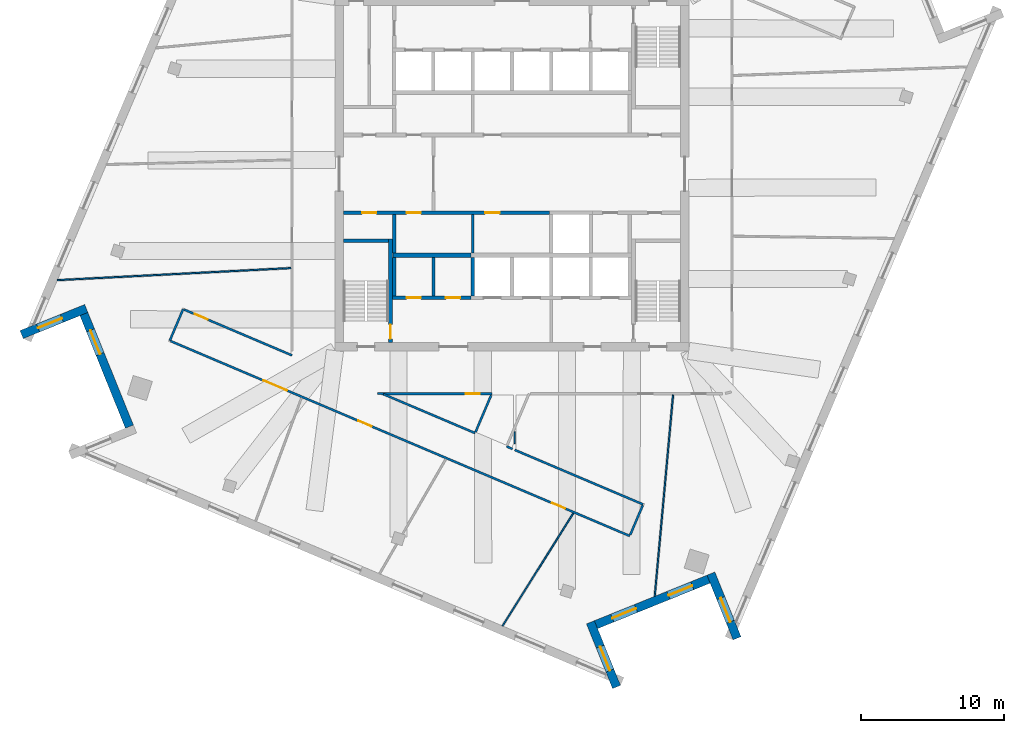
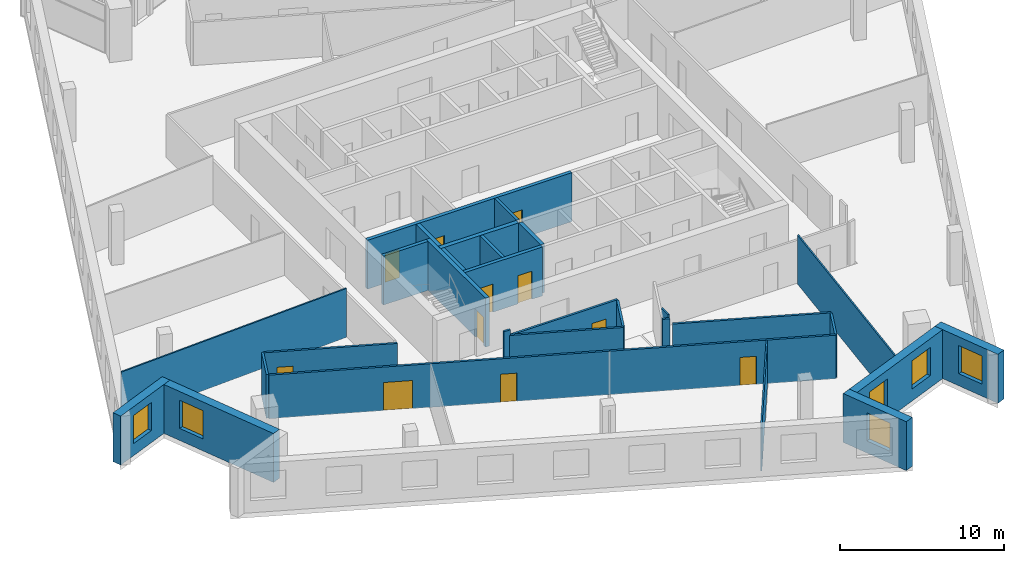
# One storey, part 6 of 13: 29 walls, 11 doors, 6 windows, 17 openings.
"""IFC4 building model written with IfcOpenShell, lengths in metres."""

from ifc_helpers import new_model, si_unit, direction, frame, frame_2d, origin, place, context, subcontext, project, spatial, rectangle, extrude, material, layer, layer_set, type_object, element, fill, save


model = new_model("IFC4")

# Units and contexts
model_context = context("Model", 3, precision=1e-05, world=origin(), true_north=direction((0.0, 1.0)))
body_context = subcontext(model_context, "Body", "Model", "MODEL_VIEW")
ifc_project = project(units=[si_unit("LENGTHUNIT", "METRE"), si_unit("AREAUNIT", "SQUARE_METRE"), si_unit("VOLUMEUNIT", "CUBIC_METRE"), si_unit("PLANEANGLEUNIT", "RADIAN"), si_unit("MASSUNIT", "GRAM", prefix="KILO")], contexts=[model_context])

# Site, building, storey
site_placement = place(None, origin())
site = spatial("IfcSite", under=ifc_project, at=site_placement, CompositionType="ELEMENT")
building_placement = place(site_placement, origin())
building = spatial("IfcBuilding", under=site, at=building_placement, Name="Dilmun Exchange Tower", CompositionType="ELEMENT")
storey_placement = place(building_placement, frame((0.0, 0.0, 296.5)))
storey = spatial("IfcBuildingStorey", under=building, at=storey_placement, Name="L70", CompositionType="ELEMENT", Elevation=296.5)

# Walls
ifc_material_1 = material(Name="Concrete C40/50", Category="concrete")
ifc_layer_1 = layer(ifc_material_1, 0.199951171875)
ifc_layer_set_1 = layer_set([ifc_layer_1], Name="Concrete C40/50")
wall_type_1 = type_object("IfcWallType", Name="Core partition wall 200", PredefinedType="PARTITIONING", material=ifc_layer_set_1)
for number, where, z_axis, x_axis, name in (
    (1, (-5.5, -8.544921875, 0.0), (0.0, 0.0, 1.0), (0.0, 1.0, 0.0), "L70 core partition wall 04"),
    (2, (-2.75, -5.544921875, 0.0), (0.0, 0.0, 1.0), (0.0, 1.0, 0.0), "L70 core partition wall 07"),
):
    element("IfcWall", number, at=place(storey_placement, frame(where, z_axis=z_axis, x_axis=x_axis)), inside=storey, type_object=wall_type_1, Name=name, PredefinedType="PARTITIONING", context=body_context, shape_type="SweptSolid", body=[
        extrude(rectangle(XDim=2.68994140625, YDim=0.199951171875, at=frame_2d((1.344970703125, 0.0))), origin(), (0.0, 0.0, 1.0), 3.64990234375),
    ])

# Wall, openings, doors
ifc_layer_2 = layer(ifc_material_1, 0.25)
ifc_layer_set_2 = layer_set([ifc_layer_2], Name="Concrete C40/50")
wall_type_2 = type_object("IfcWallType", Name="Core partition wall 250", PredefinedType="PARTITIONING", material=ifc_layer_set_2)
wall_1_placement = place(storey_placement, frame((-8.3701171875, -8.675048828125, 0.0), z_axis=(0.0, 0.0, 1.0), x_axis=(1.0, 0.0, 0.0)))
wall_1 = element("IfcWall", 3, at=wall_1_placement, inside=storey, type_object=wall_type_2, Name="L70 core partition wall 02", PredefinedType="PARTITIONING", context=body_context, shape_type="SweptSolid", body=[
    extrude(rectangle(XDim=5.490234375, YDim=0.25, at=frame_2d((2.7451171875, 0.0))), origin(), (0.0, 0.0, 1.0), 3.64990234375),
])
opening_1_placement = place(wall_1_placement, frame((0.9951171875, 0.0, 0.0)))
opening_1 = element("IfcOpeningElement", 4, at=opening_1_placement, cuts=wall_1, Name="Opening CD4", PredefinedType="OPENING", context=body_context, shape_type="SweptSolid", body=[
    extrude(rectangle(XDim=1.0, YDim=2.10009765625, at=frame_2d((0.5, 1.050048828125))), frame((0.0, 0.135009765625, 0.0), z_axis=(0.0, -1.0, 0.0), x_axis=(1.0, 0.0, 0.0)), (0.0, 0.0, 1.0), 0.27001953125),
])
opening_2_placement = place(wall_1_placement, frame((3.7451171875, 0.0, 0.0)))
opening_2 = element("IfcOpeningElement", 5, at=opening_2_placement, cuts=wall_1, Name="Opening CD4", PredefinedType="OPENING", context=body_context, shape_type="SweptSolid", body=[
    extrude(rectangle(XDim=1.0, YDim=2.10009765625, at=frame_2d((0.5, 1.050048828125))), frame((0.0, 0.135009765625, 0.0), z_axis=(0.0, -1.0, 0.0), x_axis=(1.0, 0.0, 0.0)), (0.0, 0.0, 1.0), 0.27001953125),
])
ifc_material_2 = material(Name="Fire-rated steel door set", Category="steel")
door_type_1 = type_object("IfcDoorType", Name="Core room door 1000x2100", OperationType="SINGLE_SWING_LEFT", PredefinedType="DOOR", material=ifc_material_2)
door_1_placement = place(opening_1_placement, origin())
door_1 = element("IfcDoor", 6, at=door_1_placement, inside=storey, type_object=door_type_1, Name="L70 door Male WC", OperationType="SINGLE_SWING_LEFT", OverallHeight=2.10009765625, OverallWidth=1.0, PredefinedType="DOOR", context=body_context, shape_type="SweptSolid", body=[
    extrude(rectangle(XDim=1.0, YDim=2.10009765625, at=frame_2d((0.5, 1.050048828125))), frame((0.0, 0.02490234375, 0.0), z_axis=(0.0, -1.0, 0.0), x_axis=(1.0, 0.0, 0.0)), (0.0, 0.0, 1.0), 0.050048828125),
])
fill(opening_1, door_1)
door_2_placement = place(opening_2_placement, origin())
door_2 = element("IfcDoor", 7, at=door_2_placement, inside=storey, type_object=door_type_1, Name="L70 door Female WC", OperationType="SINGLE_SWING_LEFT", OverallHeight=2.10009765625, OverallWidth=1.0, PredefinedType="DOOR", context=body_context, shape_type="SweptSolid", body=[
    extrude(rectangle(XDim=1.0, YDim=2.10009765625, at=frame_2d((0.5, 1.050048828125))), frame((0.0, 0.02490234375, 0.0), z_axis=(0.0, -1.0, 0.0), x_axis=(1.0, 0.0, 0.0)), (0.0, 0.0, 1.0), 0.050048828125),
])
fill(opening_2, door_2)

# Walls
for number, where, z_axis, x_axis, name in (
    (8, (-8.25, -8.544921875, 0.0), (0.0, 0.0, 1.0), (0.0, 1.0, 0.0), "L70 core partition wall 03"),
    (9, (-8.25, -5.544921875, 0.0), (0.0, 0.0, 1.0), (0.0, 1.0, 0.0), "L70 core partition wall 06"),
):
    element("IfcWall", number, at=place(storey_placement, frame(where, z_axis=z_axis, x_axis=x_axis)), inside=storey, type_object=wall_type_2, Name=name, PredefinedType="PARTITIONING", context=body_context, shape_type="SweptSolid", body=[
        extrude(rectangle(XDim=2.68994140625, YDim=0.25, at=frame_2d((1.344970703125, 0.0))), origin(), (0.0, 0.0, 1.0), 3.64990234375),
    ])

# Wall, openings, doors
wall_2_placement = place(storey_placement, frame((-11.794921875, -2.72509765625, 0.0), z_axis=(0.0, 0.0, 1.0), x_axis=(1.0, 0.0, 0.0)))
wall_2 = element("IfcWall", 10, at=wall_2_placement, inside=storey, type_object=wall_type_2, Name="L70 core partition wall 09", PredefinedType="PARTITIONING", context=body_context, shape_type="SweptSolid", body=[
    extrude(rectangle(XDim=14.4150390625, YDim=0.25, at=frame_2d((7.20751953125, 0.0))), origin(), (0.0, 0.0, 1.0), 3.64990234375),
])
opening_3_placement = place(wall_2_placement, frame((1.294921875, 0.0, 0.0)))
opening_3 = element("IfcOpeningElement", 11, at=opening_3_placement, cuts=wall_2, Name="Opening CD4", PredefinedType="OPENING", context=body_context, shape_type="SweptSolid", body=[
    extrude(rectangle(XDim=1.0, YDim=2.10009765625, at=frame_2d((0.5, 1.050048828125))), frame((0.0, 0.135009765625, 0.0), z_axis=(0.0, -1.0, 0.0), x_axis=(1.0, 0.0, 0.0)), (0.0, 0.0, 1.0), 0.27001953125),
])
opening_4_placement = place(wall_2_placement, frame((4.419921875, 0.0, 0.0)))
opening_4 = element("IfcOpeningElement", 12, at=opening_4_placement, cuts=wall_2, Name="Opening CD4", PredefinedType="OPENING", context=body_context, shape_type="SweptSolid", body=[
    extrude(rectangle(XDim=1.0, YDim=2.10009765625, at=frame_2d((0.5, 1.050048828125))), frame((0.0, 0.135009765625, 0.0), z_axis=(0.0, -1.0, 0.0), x_axis=(1.0, 0.0, 0.0)), (0.0, 0.0, 1.0), 0.27001953125),
])
opening_5_placement = place(wall_2_placement, frame((9.919921875, 0.0, 0.0)))
opening_5 = element("IfcOpeningElement", 13, at=opening_5_placement, cuts=wall_2, Name="Opening CD4", PredefinedType="OPENING", context=body_context, shape_type="SweptSolid", body=[
    extrude(rectangle(XDim=1.0, YDim=2.10009765625, at=frame_2d((0.5, 1.050048828125))), frame((0.0, 0.135009765625, 0.0), z_axis=(0.0, -1.0, 0.0), x_axis=(1.0, 0.0, 0.0)), (0.0, 0.0, 1.0), 0.27001953125),
])
door_3_placement = place(opening_3_placement, origin())
door_3 = element("IfcDoor", 14, at=door_3_placement, inside=storey, type_object=door_type_1, Name="L70 door Accessible WC", OperationType="SINGLE_SWING_LEFT", OverallHeight=2.10009765625, OverallWidth=1.0, PredefinedType="DOOR", context=body_context, shape_type="SweptSolid", body=[
    extrude(rectangle(XDim=1.0, YDim=2.10009765625, at=frame_2d((0.5, 1.050048828125))), frame((0.0, 0.02490234375, 0.0), z_axis=(0.0, -1.0, 0.0), x_axis=(1.0, 0.0, 0.0)), (0.0, 0.0, 1.0), 0.050048828125),
])
fill(opening_3, door_3)
door_4_placement = place(opening_4_placement, origin())
door_4 = element("IfcDoor", 15, at=door_4_placement, inside=storey, type_object=door_type_1, Name="L70 door Switch room", OperationType="SINGLE_SWING_LEFT", OverallHeight=2.10009765625, OverallWidth=1.0, PredefinedType="DOOR", context=body_context, shape_type="SweptSolid", body=[
    extrude(rectangle(XDim=1.0, YDim=2.10009765625, at=frame_2d((0.5, 1.050048828125))), frame((0.0, 0.02490234375, 0.0), z_axis=(0.0, -1.0, 0.0), x_axis=(1.0, 0.0, 0.0)), (0.0, 0.0, 1.0), 0.050048828125),
])
fill(opening_4, door_4)
door_5_placement = place(opening_5_placement, origin())
door_5 = element("IfcDoor", 16, at=door_5_placement, inside=storey, type_object=door_type_1, Name="L70 door Print and mail room", OperationType="SINGLE_SWING_LEFT", OverallHeight=2.10009765625, OverallWidth=1.0, PredefinedType="DOOR", context=body_context, shape_type="SweptSolid", body=[
    extrude(rectangle(XDim=1.0, YDim=2.10009765625, at=frame_2d((0.5, 1.050048828125))), frame((0.0, 0.02490234375, 0.0), z_axis=(0.0, -1.0, 0.0), x_axis=(1.0, 0.0, 0.0)), (0.0, 0.0, 1.0), 0.050048828125),
])
fill(opening_5, door_5)

# Walls
ifc_layer_3 = layer(ifc_material_1, 0.300048828125)
ifc_layer_set_3 = layer_set([ifc_layer_3], Name="Concrete C40/50")
wall_type_3 = type_object("IfcWallType", Name="Core partition wall 300", PredefinedType="PARTITIONING", material=ifc_layer_set_3)
wall_3_placement = place(storey_placement, frame((-8.35009765625, -5.699951171875, 0.0), z_axis=(0.0, 0.0, 1.0), x_axis=(1.0, 0.0, 0.0)))
element("IfcWall", 17, at=wall_3_placement, inside=storey, type_object=wall_type_3, Name="L70 core partition wall 05", PredefinedType="PARTITIONING", context=body_context, shape_type="SweptSolid", body=[
    extrude(rectangle(XDim=5.47021484375, YDim=0.300048828125, at=frame_2d((2.735107421875, 0.0))), origin(), (0.0, 0.0, 1.0), 3.64990234375),
])
ifc_material_3 = material(Name="Corridor wall 150")
ifc_layer_4 = layer(ifc_material_3, 0.14990234375)
ifc_layer_set_4 = layer_set([ifc_layer_4], Name="Corridor wall 150")
wall_type_4 = type_object("IfcWallType", Name="Corridor wall 150", PredefinedType="PARTITIONING", material=ifc_layer_set_4)
wall_4_placement = place(storey_placement, frame((-23.965087890625, -11.681884765625, 0.0), z_axis=(0.0, 0.0, 1.0), x_axis=(0.390356552854, 0.920663761448, 0.0)))
element("IfcWall", 18, at=wall_4_placement, inside=storey, type_object=wall_type_4, Name="Corridor wall", PredefinedType="PARTITIONING", context=body_context, shape_type="SweptSolid", body=[
    extrude(rectangle(XDim=2.400390625, YDim=0.14990234375, at=frame_2d((1.2001953125, 0.0))), origin(), (0.0, 0.0, 1.0), 3.25),
])

# Wall, openings, doors
wall_5_placement = place(storey_placement, frame((-23.89599609375, -11.711181640625, 0.0), z_axis=(0.0, 0.0, 1.0), x_axis=(0.920507643781, -0.390724554821, 0.0)))
wall_5 = element("IfcWall", 19, at=wall_5_placement, inside=storey, type_object=wall_type_4, Name="Corridor wall", PredefinedType="PARTITIONING", context=body_context, shape_type="SweptSolid", body=[
    extrude(rectangle(XDim=34.916748046875, YDim=0.14990234375, at=frame_2d((17.45849609375, 0.0))), origin(), (0.0, 0.0, 1.0), 3.25),
])
opening_6_placement = place(wall_5_placement, frame((7.050048828125, 0.0, 0.0)))
opening_6 = element("IfcOpeningElement", 20, at=opening_6_placement, cuts=wall_5, Name="Opening TF70-D02", PredefinedType="OPENING", context=body_context, shape_type="SweptSolid", body=[
    extrude(rectangle(XDim=1.800048828125, YDim=2.10009765625, at=frame_2d((0.89990234375, 1.050048828125))), frame((0.0, 0.0849609375, 0.0), z_axis=(0.0, -1.0, 0.0), x_axis=(1.0, 0.0, 0.0)), (0.0, 0.0, 1.0), 0.169921875),
])
opening_7_placement = place(wall_5_placement, frame((14.269775390625, 0.0, 0.0)))
opening_7 = element("IfcOpeningElement", 21, at=opening_7_placement, cuts=wall_5, Name="Opening TF70-D05", PredefinedType="OPENING", context=body_context, shape_type="SweptSolid", body=[
    extrude(rectangle(XDim=1.0, YDim=2.10009765625, at=frame_2d((0.5, 1.050048828125))), frame((0.0, 0.0849609375, 0.0), z_axis=(0.0, -1.0, 0.0), x_axis=(1.0, 0.0, 0.0)), (0.0, 0.0, 1.0), 0.169921875),
])
opening_8_placement = place(wall_5_placement, frame((29.010986328125, 0.0, 0.0)))
opening_8 = element("IfcOpeningElement", 22, at=opening_8_placement, cuts=wall_5, Name="Opening TF70-D09", PredefinedType="OPENING", context=body_context, shape_type="SweptSolid", body=[
    extrude(rectangle(XDim=1.0, YDim=2.10009765625, at=frame_2d((0.5, 1.050048828125))), frame((0.0, 0.0849609375, 0.0), z_axis=(0.0, -1.0, 0.0), x_axis=(1.0, 0.0, 0.0)), (0.0, 0.0, 1.0), 0.169921875),
])
ifc_material_4 = material(Name="Fire door 1000 x 2100")
door_type_2 = type_object("IfcDoorType", Name="Fire door 1000 x 2100", OperationType="NOTDEFINED", PredefinedType="DOOR", material=ifc_material_4)
door_6_placement = place(opening_7_placement, frame((1.0, 0.0, 0.0), z_axis=(0.0, 0.0, 1.0), x_axis=(-1.0, 0.0, 0.0)))
door_6 = element("IfcDoor", 23, at=door_6_placement, inside=storey, type_object=door_type_2, Name="Door TF70-D05", OperationType="SINGLE_SWING_RIGHT", OverallHeight=2.10009765625, OverallWidth=1.0, PredefinedType="DOOR", context=body_context, shape_type="SweptSolid", body=[
    extrude(rectangle(XDim=1.0, YDim=2.10009765625, at=frame_2d((0.5, 1.050048828125))), frame((0.0, 0.02490234375, 0.0), z_axis=(0.0, -1.0, 0.0), x_axis=(1.0, 0.0, 0.0)), (0.0, 0.0, 1.0), 0.050048828125),
])
fill(opening_7, door_6)
door_7_placement = place(opening_8_placement, frame((1.0, 0.0, 0.0), z_axis=(0.0, 0.0, 1.0), x_axis=(-1.0, 0.0, 0.0)))
door_7 = element("IfcDoor", 24, at=door_7_placement, inside=storey, type_object=door_type_2, Name="Door TF70-D09", OperationType="SINGLE_SWING_LEFT", OverallHeight=2.10009765625, OverallWidth=1.0, PredefinedType="DOOR", context=body_context, shape_type="SweptSolid", body=[
    extrude(rectangle(XDim=1.0, YDim=2.10009765625, at=frame_2d((0.5, 1.050048828125))), frame((0.0, 0.02490234375, 0.0), z_axis=(0.0, -1.0, 0.0), x_axis=(1.0, 0.0, 0.0)), (0.0, 0.0, 1.0), 0.050048828125),
])
fill(opening_8, door_7)
ifc_material_5 = material(Name="Fire door pair 1800 x 2100")
door_type_3 = type_object("IfcDoorType", Name="Fire door pair 1800 x 2100", OperationType="NOTDEFINED", PredefinedType="DOOR", material=ifc_material_5)
door_8_placement = place(opening_6_placement, frame((1.800048828125, 0.0, 0.0), z_axis=(0.0, 0.0, 1.0), x_axis=(-1.0, 0.0, 0.0)))
door_8 = element("IfcDoor", 25, at=door_8_placement, inside=storey, type_object=door_type_3, Name="Door TF70-D02", OperationType="DOUBLE_DOOR_SINGLE_SWING", OverallHeight=2.10009765625, OverallWidth=1.800048828125, PredefinedType="DOOR", context=body_context, shape_type="SweptSolid", body=[
    extrude(rectangle(XDim=1.800048828125, YDim=2.10009765625, at=frame_2d((0.89990234375, 1.050048828125))), frame((0.0, 0.02490234375, 0.0), z_axis=(0.0, -1.0, 0.0), x_axis=(1.0, 0.0, 0.0)), (0.0, 0.0, 1.0), 0.050048828125),
])
fill(opening_6, door_8)

# Wall, opening, door
wall_6_placement = place(storey_placement, frame((-22.958984375, -9.501220703125, 0.0), z_axis=(0.0, 0.0, 1.0), x_axis=(0.920500461351, -0.390741475471, 0.0)))
wall_6 = element("IfcWall", 26, at=wall_6_placement, inside=storey, type_object=wall_type_4, Name="Corridor wall", PredefinedType="PARTITIONING", context=body_context, shape_type="SweptSolid", body=[
    extrude(rectangle(XDim=8.2119140625, YDim=0.14990234375, at=frame_2d((4.10595703125, 0.0))), origin(), (0.0, 0.0, 1.0), 3.25),
])
opening_9_placement = place(wall_6_placement, frame((0.800048828125, 0.0, 0.0)))
opening_9 = element("IfcOpeningElement", 27, at=opening_9_placement, cuts=wall_6, Name="Opening TF70-D03", PredefinedType="OPENING", context=body_context, shape_type="SweptSolid", body=[
    extrude(rectangle(XDim=1.0, YDim=2.10009765625, at=frame_2d((0.5, 1.050048828125))), frame((0.0, 0.0849609375, 0.0), z_axis=(0.0, -1.0, 0.0), x_axis=(1.0, 0.0, 0.0)), (0.0, 0.0, 1.0), 0.169921875),
])
door_9_placement = place(opening_9_placement, origin())
door_9 = element("IfcDoor", 28, at=door_9_placement, inside=storey, type_object=door_type_2, Name="Door TF70-D03", OperationType="SINGLE_SWING_RIGHT", OverallHeight=2.10009765625, OverallWidth=1.0, PredefinedType="DOOR", context=body_context, shape_type="SweptSolid", body=[
    extrude(rectangle(XDim=1.0, YDim=2.10009765625, at=frame_2d((0.5, 1.050048828125))), frame((0.0, 0.02490234375, 0.0), z_axis=(0.0, -1.0, 0.0), x_axis=(1.0, 0.0, 0.0)), (0.0, 0.0, 1.0), 0.050048828125),
])
fill(opening_9, door_9)

# Wall
wall_7_placement = place(storey_placement, frame((-9.053955078125, -15.404052734375, 0.0), z_axis=(0.0, 0.0, 1.0), x_axis=(0.920529927063, -0.390672053495, 0.0)))
element("IfcWall", 29, at=wall_7_placement, inside=storey, type_object=wall_type_4, Name="Corridor wall", PredefinedType="PARTITIONING", context=body_context, shape_type="SweptSolid", body=[
    extrude(rectangle(XDim=7.028564453125, YDim=0.14990234375, at=frame_2d((3.51416015625, 0.0))), origin(), (0.0, 0.0, 1.0), 3.25),
])

# Wall, opening, door
wall_8_placement = place(storey_placement, frame((-9.052978515625, -15.39990234375, 0.0), z_axis=(0.0, 0.0, 1.0), x_axis=(1.0, 0.0, 0.0)))
wall_8 = element("IfcWall", 30, at=wall_8_placement, inside=storey, type_object=wall_type_4, Name="Corridor wall", PredefinedType="PARTITIONING", context=body_context, shape_type="SweptSolid", body=[
    extrude(rectangle(XDim=7.635986328125, YDim=0.14990234375, at=frame_2d((3.81787109375, 0.0))), origin(), (0.0, 0.0, 1.0), 3.25),
])
opening_10_placement = place(wall_8_placement, frame((5.800048828125, 0.0, 0.0)))
opening_10 = element("IfcOpeningElement", 31, at=opening_10_placement, cuts=wall_8, Name="Opening TF70-D08", PredefinedType="OPENING", context=body_context, shape_type="SweptSolid", body=[
    extrude(rectangle(XDim=1.0, YDim=2.10009765625, at=frame_2d((0.5, 1.050048828125))), frame((0.0, 0.0849609375, 0.0), z_axis=(0.0, -1.0, 0.0), x_axis=(1.0, 0.0, 0.0)), (0.0, 0.0, 1.0), 0.169921875),
])
door_10_placement = place(opening_10_placement, frame((1.0, 0.0, 0.0), z_axis=(0.0, 0.0, 1.0), x_axis=(-1.0, 0.0, 0.0)))
door_10 = element("IfcDoor", 32, at=door_10_placement, inside=storey, type_object=door_type_2, Name="Door TF70-D08", OperationType="SINGLE_SWING_RIGHT", OverallHeight=2.10009765625, OverallWidth=1.0, PredefinedType="DOOR", context=body_context, shape_type="SweptSolid", body=[
    extrude(rectangle(XDim=1.0, YDim=2.10009765625, at=frame_2d((0.5, 1.050048828125))), frame((0.0, 0.02490234375, 0.0), z_axis=(0.0, -1.0, 0.0), x_axis=(1.0, 0.0, 0.0)), (0.0, 0.0, 1.0), 0.050048828125),
])
fill(opening_10, door_10)

# Walls
wall_9_placement = place(storey_placement, frame((-8.99609375, -15.39697265625, 0.0), z_axis=(0.0, 0.0, 1.0), x_axis=(-0.998938201598, 0.046070265765, 0.0)))
element("IfcWall", 33, at=wall_9_placement, inside=storey, type_object=wall_type_4, Name="Corridor wall", PredefinedType="PARTITIONING", context=body_context, shape_type="SweptSolid", body=[
    extrude(rectangle(XDim=0.4345703125, YDim=0.14990234375, at=frame_2d((0.21728515625, 0.0))), origin(), (0.0, 0.0, 1.0), 3.64990234375),
])
wall_10_placement = place(storey_placement, frame((-2.5546875, -18.0810546875, 0.0), z_axis=(0.0, 0.0, 1.0), x_axis=(0.39066407996, 0.920533310983, 0.0)))
element("IfcWall", 34, at=wall_10_placement, inside=storey, type_object=wall_type_4, Name="Corridor wall", PredefinedType="PARTITIONING", context=body_context, shape_type="SweptSolid", body=[
    extrude(rectangle(XDim=2.799072265625, YDim=0.14990234375, at=frame_2d((1.3994140625, 0.0))), origin(), (0.0, 0.0, 1.0), 3.25),
])
wall_11_placement = place(storey_placement, frame((-0.375, -19.087890625, 0.0), z_axis=(0.0, 0.0, 1.0), x_axis=(0.920778367596, -0.390086141471, 0.0)))
element("IfcWall", 35, at=wall_11_placement, inside=storey, type_object=wall_type_4, Name="Corridor wall", PredefinedType="PARTITIONING", context=body_context, shape_type="SweptSolid", body=[
    extrude(rectangle(XDim=0.4462890625, YDim=0.14990234375, at=frame_2d((0.22314453125, 0.0))), origin(), (0.0, 0.0, 1.0), 3.64990234375),
])
wall_12_placement = place(storey_placement, frame((0.193115234375, -19.3291015625, 0.0), z_axis=(0.0, 0.0, 1.0), x_axis=(0.92050877494, -0.390721889914, 0.0)))
element("IfcWall", 36, at=wall_12_placement, inside=storey, type_object=wall_type_4, Name="Corridor wall", PredefinedType="PARTITIONING", context=body_context, shape_type="SweptSolid", body=[
    extrude(rectangle(XDim=9.766357421875, YDim=0.14990234375, at=frame_2d((4.88330078125, 0.0))), origin(), (0.0, 0.0, 1.0), 3.25),
])
wall_13_placement = place(storey_placement, frame((8.2744140625, -25.284912109375, 0.0), z_axis=(0.0, 0.0, 1.0), x_axis=(0.390878666815, 0.920442213194, 0.0)))
element("IfcWall", 37, at=wall_13_placement, inside=storey, type_object=wall_type_4, Name="Corridor wall", PredefinedType="PARTITIONING", context=body_context, shape_type="SweptSolid", body=[
    extrude(rectangle(XDim=2.249755859375, YDim=0.14990234375, at=frame_2d((1.125, 0.0))), origin(), (0.0, 0.0, 1.0), 3.25),
])
ifc_layer_5 = layer(ifc_material_1, 0.25)
ifc_layer_set_5 = layer_set([ifc_layer_5], Name="Concrete C40/50")
wall_type_5 = type_object("IfcWallType", Name="Lift shaft wall 250", PredefinedType="SOLIDWALL", material=ifc_layer_set_5)
wall_14_placement = place(storey_placement, frame((-2.75, -8.550048828125, 0.0), z_axis=(0.0, 0.0, 1.0), x_axis=(0.0, 1.0, 0.0)))
element("IfcWall", 38, at=wall_14_placement, inside=storey, type_object=wall_type_5, Name="L70 lift shaft divider S22", PredefinedType="SOLIDWALL", context=body_context, shape_type="SweptSolid", body=[
    extrude(rectangle(XDim=2.699951171875, YDim=0.25, at=frame_2d((1.35009765625, 0.0))), origin(), (0.0, 0.0, 1.0), 3.64990234375),
])
ifc_material_6 = material(Name="Partition 100")
ifc_layer_6 = layer(ifc_material_6, 0.10009765625)
ifc_layer_set_6 = layer_set([ifc_layer_6], Name="Partition 100")
wall_type_6 = type_object("IfcWallType", Name="Partition 100", PredefinedType="PARTITIONING", material=ifc_layer_set_6)
wall_15_placement = place(storey_placement, frame((-31.8359375, -7.4404296875, 0.0), z_axis=(0.0, 0.0, 1.0), x_axis=(0.998664003793, 0.05167405082, 0.0)))
element("IfcWall", 39, at=wall_15_placement, inside=storey, type_object=wall_type_6, Name="Partition", PredefinedType="PARTITIONING", context=body_context, shape_type="SweptSolid", body=[
    extrude(rectangle(XDim=16.38037109375, YDim=0.10009765625, at=frame_2d((8.190185546875, 0.0))), origin(), (0.0, 0.0, 1.0), 3.64990234375),
])
wall_16_placement = place(storey_placement, frame((-0.66455078125, -31.65478515625, 0.0), z_axis=(0.0, 0.0, 1.0), x_axis=(0.531957386579, 0.846771125431, 0.0)))
element("IfcWall", 40, at=wall_16_placement, inside=storey, type_object=wall_type_6, Name="Partition", PredefinedType="PARTITIONING", context=body_context, shape_type="SweptSolid", body=[
    extrude(rectangle(XDim=9.316162109375, YDim=0.10009765625, at=frame_2d((4.658203125, 0.0))), origin(), (0.0, 0.0, 1.0), 3.25),
])
wall_17_placement = place(storey_placement, frame((0.193115234375, -18.89208984375, 0.0), z_axis=(0.0, 0.0, 1.0), x_axis=(0.0, 1.0, 0.0)))
element("IfcWall", 41, at=wall_17_placement, inside=storey, type_object=wall_type_6, Name="Partition", PredefinedType="PARTITIONING", context=body_context, shape_type="SweptSolid", body=[
    extrude(rectangle(XDim=0.83251953125, YDim=0.10009765625, at=frame_2d((0.416259765625, 0.0))), origin(), (0.0, 0.0, 1.0), 3.64990234375),
])
wall_18_placement = place(storey_placement, frame((9.995361328125, -29.576904296875, 0.0), z_axis=(0.0, 0.0, 1.0), x_axis=(0.090666368484, 0.995881323063, 0.0)))
element("IfcWall", 42, at=wall_18_placement, inside=storey, type_object=wall_type_6, Name="Partition", PredefinedType="PARTITIONING", context=body_context, shape_type="SweptSolid", body=[
    extrude(rectangle(XDim=14.15576171875, YDim=0.10009765625, at=frame_2d((7.077880859375, 0.0))), origin(), (0.0, 0.0, 1.0), 3.64990234375),
])

# Wall, opening, window
ifc_material_7 = material(Name="Precast concrete C50/60", Category="concrete")
ifc_layer_7 = layer(ifc_material_7, 0.60009765625)
ifc_layer_set_7 = layer_set([ifc_layer_7], Name="Precast concrete C50/60")
wall_type_7 = type_object("IfcWallType", Name="Precast stone-clad wall 600", PredefinedType="STANDARD", material=ifc_layer_set_7)
wall_19_placement = place(storey_placement, frame((-34.339599609375, -11.254638671875, 0.0), z_axis=(0.0, 0.0, 1.0), x_axis=(0.927189106571, 0.374593593988, 0.0)))
wall_19 = element("IfcWall", 43, at=wall_19_placement, inside=storey, type_object=wall_type_7, Name="Facade wall L70-04", PredefinedType="STANDARD", context=body_context, shape_type="SweptSolid", body=[
    extrude(rectangle(XDim=4.885498046875, YDim=0.60009765625, at=frame_2d((2.44287109375, 0.0))), origin(), (0.0, 0.0, 1.0), 3.64990234375),
])
opening_11_placement = place(wall_19_placement, frame((1.242919921875, 0.0, 0.89990234375)))
opening_11 = element("IfcOpeningElement", 44, at=opening_11_placement, cuts=wall_19, Name="Opening W180-210", PredefinedType="OPENING", context=body_context, shape_type="SweptSolid", body=[
    extrude(rectangle(XDim=1.800048828125, YDim=2.10009765625, at=frame_2d((0.89990234375, 1.050048828125))), frame((0.0, 0.31005859375, 0.0), z_axis=(0.0, -1.0, 0.0), x_axis=(1.0, 0.0, 0.0)), (0.0, 0.0, 1.0), 0.6201171875),
])
ifc_material_8 = material(Name="Clear low-emissivity glass in aluminium frame", Category="aluminium")
window_type = type_object("IfcWindowType", Name="Punched window 1800 x 2100", PartitioningType="DOUBLE_PANEL_VERTICAL", PredefinedType="WINDOW", material=ifc_material_8)
window_1_placement = place(opening_11_placement, origin())
window_1 = element("IfcWindow", 45, at=window_1_placement, inside=storey, type_object=window_type, Name="Window 5.1", OverallHeight=2.10009765625, OverallWidth=1.800048828125, PartitioningType="SINGLE_PANEL", PredefinedType="WINDOW", context=body_context, shape_type="SweptSolid", body=[
    extrude(rectangle(XDim=1.800048828125, YDim=2.10009765625, at=frame_2d((0.89990234375, 1.050048828125))), frame((0.0, 0.030029296875, 0.0), z_axis=(0.0, -1.0, 0.0), x_axis=(1.0, 0.0, 0.0)), (0.0, 0.0, 1.0), 0.06005859375),
])
fill(opening_11, window_1)

wall_20_placement = place(storey_placement, frame((-29.9755859375, -9.81494140625, 0.0), z_axis=(0.0, 0.0, 1.0), x_axis=(0.374622134294, -0.927177575493, 0.0)))
wall_20 = element("IfcWall", 46, at=wall_20_placement, inside=storey, type_object=wall_type_7, Name="Facade wall L70-05", PredefinedType="STANDARD", context=body_context, shape_type="SweptSolid", body=[
    extrude(rectangle(XDim=8.5, YDim=0.60009765625, at=frame_2d((4.25, 0.0))), origin(), (0.0, 0.0, 1.0), 3.64990234375),
])
opening_12_placement = place(wall_20_placement, frame((1.22509765625, 0.0, 0.89990234375)))
opening_12 = element("IfcOpeningElement", 47, at=opening_12_placement, cuts=wall_20, Name="Opening W180-210", PredefinedType="OPENING", context=body_context, shape_type="SweptSolid", body=[
    extrude(rectangle(XDim=1.800048828125, YDim=2.10009765625, at=frame_2d((0.89990234375, 1.050048828125))), frame((0.0, 0.31005859375, 0.0), z_axis=(0.0, -1.0, 0.0), x_axis=(1.0, 0.0, 0.0)), (0.0, 0.0, 1.0), 0.6201171875),
])
window_2_placement = place(opening_12_placement, origin())
window_2 = element("IfcWindow", 48, at=window_2_placement, inside=storey, type_object=window_type, Name="Window 6.1", OverallHeight=2.10009765625, OverallWidth=1.800048828125, PartitioningType="SINGLE_PANEL", PredefinedType="WINDOW", context=body_context, shape_type="SweptSolid", body=[
    extrude(rectangle(XDim=1.800048828125, YDim=2.10009765625, at=frame_2d((0.89990234375, 1.050048828125))), frame((0.0, 0.030029296875, 0.0), z_axis=(0.0, -1.0, 0.0), x_axis=(1.0, 0.0, 0.0)), (0.0, 0.0, 1.0), 0.06005859375),
])
fill(opening_12, window_2)

wall_21_placement = place(storey_placement, frame((7.32080078125, -35.9287109375, 0.0), z_axis=(0.0, 0.0, 1.0), x_axis=(-0.374593593988, 0.927189106571, 0.0)))
wall_21 = element("IfcWall", 49, at=wall_21_placement, inside=storey, type_object=wall_type_7, Name="Facade wall L70-08", PredefinedType="STANDARD", context=body_context, shape_type="SweptSolid", body=[
    extrude(rectangle(XDim=4.885498046875, YDim=0.60009765625, at=frame_2d((2.44287109375, 0.0))), origin(), (0.0, 0.0, 1.0), 3.64990234375),
])
opening_13_placement = place(wall_21_placement, frame((1.242919921875, 0.0, 0.89990234375)))
opening_13 = element("IfcOpeningElement", 50, at=opening_13_placement, cuts=wall_21, Name="Opening W180-210", PredefinedType="OPENING", context=body_context, shape_type="SweptSolid", body=[
    extrude(rectangle(XDim=1.800048828125, YDim=2.10009765625, at=frame_2d((0.89990234375, 1.050048828125))), frame((0.0, 0.31005859375, 0.0), z_axis=(0.0, -1.0, 0.0), x_axis=(1.0, 0.0, 0.0)), (0.0, 0.0, 1.0), 0.6201171875),
])
window_3_placement = place(opening_13_placement, origin())
window_3 = element("IfcWindow", 51, at=window_3_placement, inside=storey, type_object=window_type, Name="Window 9.1", OverallHeight=2.10009765625, OverallWidth=1.800048828125, PartitioningType="SINGLE_PANEL", PredefinedType="WINDOW", context=body_context, shape_type="SweptSolid", body=[
    extrude(rectangle(XDim=1.800048828125, YDim=2.10009765625, at=frame_2d((0.89990234375, 1.050048828125))), frame((0.0, 0.030029296875, 0.0), z_axis=(0.0, -1.0, 0.0), x_axis=(1.0, 0.0, 0.0)), (0.0, 0.0, 1.0), 0.06005859375),
])
fill(opening_13, window_3)

# Wall, openings, windows
wall_22_placement = place(storey_placement, frame((5.88134765625, -31.564697265625, 0.0), z_axis=(0.0, 0.0, 1.0), x_axis=(0.927187551636, 0.37459744272, 0.0)))
wall_22 = element("IfcWall", 52, at=wall_22_placement, inside=storey, type_object=wall_type_7, Name="Facade wall L70-09", PredefinedType="STANDARD", context=body_context, shape_type="SweptSolid", body=[
    extrude(rectangle(XDim=8.5, YDim=0.60009765625, at=frame_2d((4.25, 0.0))), origin(), (0.0, 0.0, 1.0), 3.64990234375),
])
opening_14_placement = place(wall_22_placement, frame((1.22509765625, 0.0, 0.89990234375)))
opening_14 = element("IfcOpeningElement", 53, at=opening_14_placement, cuts=wall_22, Name="Opening W180-210", PredefinedType="OPENING", context=body_context, shape_type="SweptSolid", body=[
    extrude(rectangle(XDim=1.800048828125, YDim=2.10009765625, at=frame_2d((0.89990234375, 1.050048828125))), frame((0.0, 0.31005859375, 0.0), z_axis=(0.0, -1.0, 0.0), x_axis=(1.0, 0.0, 0.0)), (0.0, 0.0, 1.0), 0.6201171875),
])
opening_15_placement = place(wall_22_placement, frame((5.47509765625, 0.0, 0.89990234375)))
opening_15 = element("IfcOpeningElement", 54, at=opening_15_placement, cuts=wall_22, Name="Opening W180-210", PredefinedType="OPENING", context=body_context, shape_type="SweptSolid", body=[
    extrude(rectangle(XDim=1.800048828125, YDim=2.10009765625, at=frame_2d((0.89990234375, 1.050048828125))), frame((0.0, 0.31005859375, 0.0), z_axis=(0.0, -1.0, 0.0), x_axis=(1.0, 0.0, 0.0)), (0.0, 0.0, 1.0), 0.6201171875),
])
window_4_placement = place(opening_14_placement, origin())
window_4 = element("IfcWindow", 55, at=window_4_placement, inside=storey, type_object=window_type, Name="Window 10.1", OverallHeight=2.10009765625, OverallWidth=1.800048828125, PartitioningType="SINGLE_PANEL", PredefinedType="WINDOW", context=body_context, shape_type="SweptSolid", body=[
    extrude(rectangle(XDim=1.800048828125, YDim=2.10009765625, at=frame_2d((0.89990234375, 1.050048828125))), frame((0.0, 0.030029296875, 0.0), z_axis=(0.0, -1.0, 0.0), x_axis=(1.0, 0.0, 0.0)), (0.0, 0.0, 1.0), 0.06005859375),
])
fill(opening_14, window_4)
window_5_placement = place(opening_15_placement, origin())
window_5 = element("IfcWindow", 56, at=window_5_placement, inside=storey, type_object=window_type, Name="Window 10.2", OverallHeight=2.10009765625, OverallWidth=1.800048828125, PartitioningType="SINGLE_PANEL", PredefinedType="WINDOW", context=body_context, shape_type="SweptSolid", body=[
    extrude(rectangle(XDim=1.800048828125, YDim=2.10009765625, at=frame_2d((0.89990234375, 1.050048828125))), frame((0.0, 0.030029296875, 0.0), z_axis=(0.0, -1.0, 0.0), x_axis=(1.0, 0.0, 0.0)), (0.0, 0.0, 1.0), 0.06005859375),
])
fill(opening_15, window_5)

# Wall, opening, window
wall_23_placement = place(storey_placement, frame((13.92822265625, -27.989990234375, 0.0), z_axis=(0.0, 0.0, 1.0), x_axis=(0.374576238335, -0.927196118238, 0.0)))
wall_23 = element("IfcWall", 57, at=wall_23_placement, inside=storey, type_object=wall_type_7, Name="Facade wall L70-10", PredefinedType="STANDARD", context=body_context, shape_type="SweptSolid", body=[
    extrude(rectangle(XDim=4.8857421875, YDim=0.60009765625, at=frame_2d((2.44287109375, 0.0))), origin(), (0.0, 0.0, 1.0), 3.64990234375),
])
opening_16_placement = place(wall_23_placement, frame((1.8427734375, 0.0, 0.89990234375)))
opening_16 = element("IfcOpeningElement", 58, at=opening_16_placement, cuts=wall_23, Name="Opening W180-210", PredefinedType="OPENING", context=body_context, shape_type="SweptSolid", body=[
    extrude(rectangle(XDim=1.800048828125, YDim=2.10009765625, at=frame_2d((0.89990234375, 1.050048828125))), frame((0.0, 0.31005859375, 0.0), z_axis=(0.0, -1.0, 0.0), x_axis=(1.0, 0.0, 0.0)), (0.0, 0.0, 1.0), 0.6201171875),
])
window_6_placement = place(opening_16_placement, origin())
window_6 = element("IfcWindow", 59, at=window_6_placement, inside=storey, type_object=window_type, Name="Window 11.1", OverallHeight=2.10009765625, OverallWidth=1.800048828125, PartitioningType="SINGLE_PANEL", PredefinedType="WINDOW", context=body_context, shape_type="SweptSolid", body=[
    extrude(rectangle(XDim=1.800048828125, YDim=2.10009765625, at=frame_2d((0.89990234375, 1.050048828125))), frame((0.0, 0.030029296875, 0.0), z_axis=(0.0, -1.0, 0.0), x_axis=(1.0, 0.0, 0.0)), (0.0, 0.0, 1.0), 0.06005859375),
])
fill(opening_16, window_6)

# Wall
ifc_layer_8 = layer(ifc_material_1, 0.25)
ifc_layer_set_8 = layer_set([ifc_layer_8], Name="Concrete C40/50")
wall_type_8 = type_object("IfcWallType", Name="Stair end wall 250", PredefinedType="SOLIDWALL", material=ifc_layer_set_8)
wall_24_placement = place(storey_placement, frame((-8.64990234375, -4.675048828125, 0.0), z_axis=(0.0, 0.0, 1.0), x_axis=(-1.0, 0.0, 0.0)))
element("IfcWall", 60, at=wall_24_placement, inside=storey, type_object=wall_type_8, Name="L70 ST2 far wall", PredefinedType="SOLIDWALL", context=body_context, shape_type="SweptSolid", body=[
    extrude(rectangle(XDim=3.150146484375, YDim=0.25, at=frame_2d((1.5751953125, 0.0))), origin(), (0.0, 0.0, 1.0), 3.64990234375),
])

# Wall, opening, door
ifc_layer_9 = layer(ifc_material_1, 0.27490234375)
ifc_layer_set_9 = layer_set([ifc_layer_9], Name="Concrete C40/50")
wall_type_9 = type_object("IfcWallType", Name="Stair wall 275", PredefinedType="SOLIDWALL", material=ifc_layer_set_9)
wall_25_placement = place(storey_placement, frame((-8.512451171875, -4.550048828125, 0.0), z_axis=(0.0, 0.0, 1.0), x_axis=(0.0, -1.0, 0.0)))
wall_25 = element("IfcWall", 61, at=wall_25_placement, inside=storey, type_object=wall_type_9, Name="L70 ST2 wall to lift block", PredefinedType="SOLIDWALL", context=body_context, shape_type="SweptSolid", body=[
    extrude(rectangle(XDim=7.25, YDim=0.27490234375, at=frame_2d((3.625, 0.0))), origin(), (0.0, 0.0, 1.0), 3.64990234375),
])
opening_17_placement = place(wall_25_placement, frame((6.0, 0.0, 0.0)))
opening_17 = element("IfcOpeningElement", 62, at=opening_17_placement, cuts=wall_25, Name="Opening CD4", PredefinedType="OPENING", context=body_context, shape_type="SweptSolid", body=[
    extrude(rectangle(XDim=1.0, YDim=2.10009765625, at=frame_2d((0.5, 1.050048828125))), frame((0.0, 0.1474609375, 0.0), z_axis=(0.0, -1.0, 0.0), x_axis=(1.0, 0.0, 0.0)), (0.0, 0.0, 1.0), 0.294921875),
])
door_11_placement = place(opening_17_placement, origin())
door_11 = element("IfcDoor", 63, at=door_11_placement, inside=storey, type_object=door_type_1, Name="L70 door ST2 from lobby", OperationType="SINGLE_SWING_LEFT", OverallHeight=2.10009765625, OverallWidth=1.0, PredefinedType="DOOR", context=body_context, shape_type="SweptSolid", body=[
    extrude(rectangle(XDim=1.0, YDim=2.10009765625, at=frame_2d((0.5, 1.050048828125))), frame((0.0, 0.02490234375, 0.0), z_axis=(0.0, -1.0, 0.0), x_axis=(1.0, 0.0, 0.0)), (0.0, 0.0, 1.0), 0.050048828125),
])
fill(opening_17, door_11)

save(model, "model.ifc")
